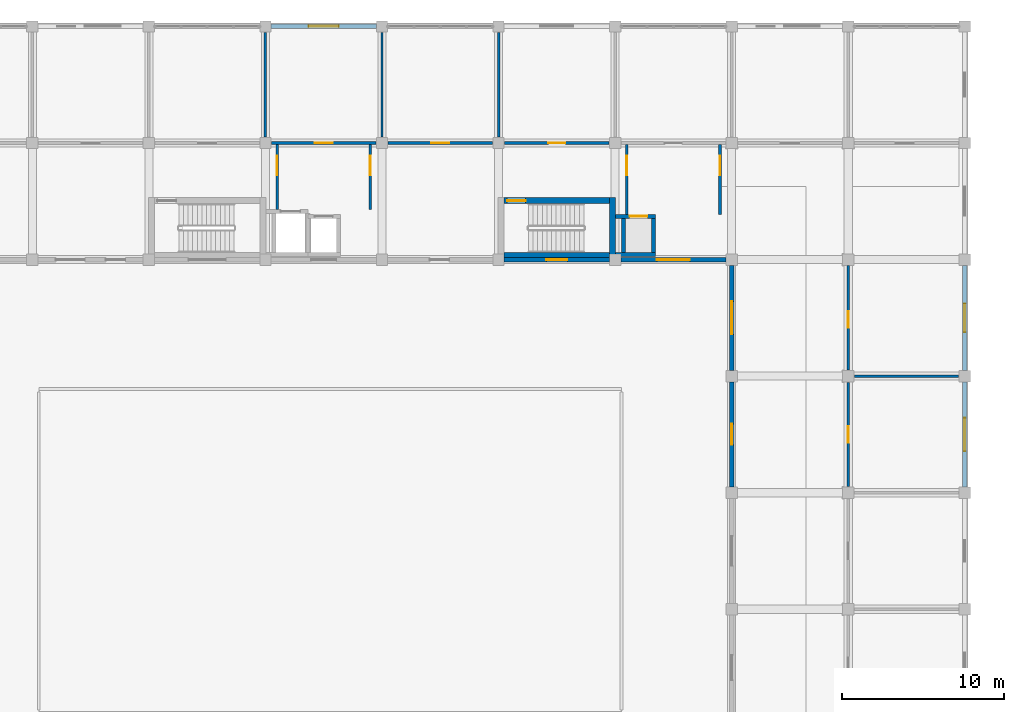
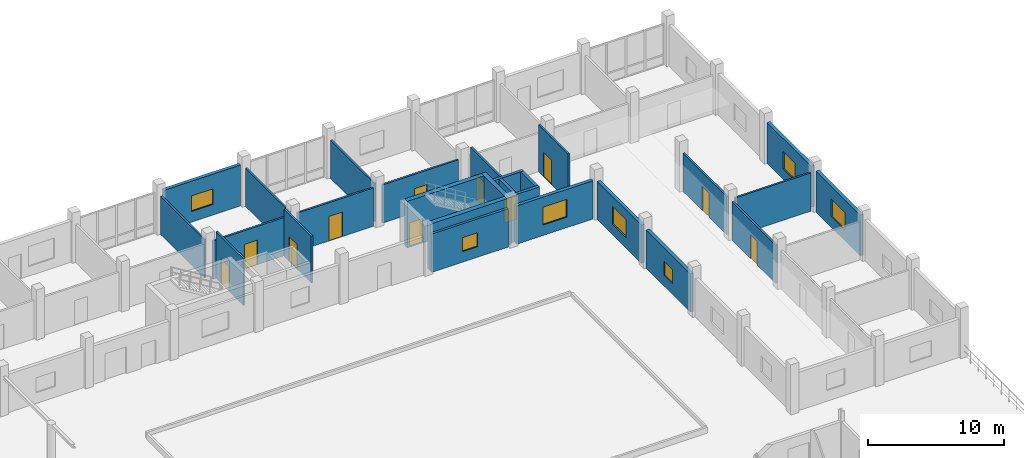
# One storey, part 125 of 139: 27 walls, 11 doors, 7 windows, 18 openings.
"""IFC4 building model written with IfcOpenShell, lengths in metres."""

from ifc_helpers import new_model, si_unit, direction, frame, frame_2d, origin, place, context, subcontext, project, spatial, rectangle, extrude, material, layer, layer_set, type_object, element, fill, save


model = new_model("IFC4")

# Units and contexts
model_context = context("Model", 3, precision=1e-05, world=origin(), true_north=direction((0.0, 1.0)))
body_context = subcontext(model_context, "Body", "Model", "MODEL_VIEW")
ifc_project = project(units=[si_unit("LENGTHUNIT", "METRE"), si_unit("AREAUNIT", "SQUARE_METRE"), si_unit("VOLUMEUNIT", "CUBIC_METRE"), si_unit("PLANEANGLEUNIT", "RADIAN"), si_unit("MASSUNIT", "GRAM", prefix="KILO")], contexts=[model_context])

# Site, building, storey
site_placement = place(None, origin())
site = spatial("IfcSite", under=ifc_project, at=site_placement, CompositionType="ELEMENT")
building_placement = place(site_placement, origin())
building = spatial("IfcBuilding", under=site, at=building_placement, Name="Suanplinth Sawtooth Commons", CompositionType="ELEMENT")
storey_placement = place(building_placement, origin())
storey = spatial("IfcBuildingStorey", under=building, at=storey_placement, Name="L00", CompositionType="ELEMENT", Elevation=0.0)

# Wall
ifc_material_1 = material(Name="Concrete C40/50", Category="concrete")
ifc_layer_1 = layer(ifc_material_1, 0.3798828125, Name="Lower high-rise RC core shear wall 380mm")
ifc_layer_set_1 = layer_set([ifc_layer_1], Name="Concrete C40/50")
wall_type_1 = type_object("IfcWallType", Name="W-CR01", PredefinedType="SHEAR", material=ifc_layer_set_1)
wall_1_placement = place(storey_placement, frame((158.75, 108.260009765625, 0.0), z_axis=(0.0, 0.0, 1.0), x_axis=(1.0, 0.0, 0.0)))
element("IfcWall", 1, at=wall_1_placement, inside=storey, type_object=wall_type_1, Name="W-L00-C-B2-STS", PredefinedType="SHEAR", context=body_context, shape_type="SweptSolid", body=[
    extrude(rectangle(XDim=6.5, YDim=0.3798828125, at=frame_2d((3.25, 0.0))), origin(), (0.0, 0.0, 1.0), 4.199951171875),
])

# Wall, opening, door
wall_2_placement = place(storey_placement, frame((158.75, 111.639892578125, 0.0), z_axis=(0.0, 0.0, 1.0), x_axis=(1.0, 0.0, 0.0)))
wall_2 = element("IfcWall", 2, at=wall_2_placement, inside=storey, type_object=wall_type_1, Name="W-L00-C-B2-STN", PredefinedType="SHEAR", context=body_context, shape_type="SweptSolid", body=[
    extrude(rectangle(XDim=6.5, YDim=0.3798828125, at=frame_2d((3.25, 0.0))), origin(), (0.0, 0.0, 1.0), 4.199951171875),
])
opening_1_placement = place(wall_2_placement, frame((0.179931640625, 0.0, 0.0)))
opening_1 = element("IfcOpeningElement", 3, at=opening_1_placement, cuts=wall_2, Name="Opening FD0224", PredefinedType="OPENING", context=body_context, shape_type="SweptSolid", body=[
    extrude(rectangle(XDim=1.14990234375, YDim=2.199951171875, at=frame_2d((0.574951171875, 1.10009765625))), frame((0.0, 0.204833984375, 0.0), z_axis=(0.0, -1.0, 0.0), x_axis=(1.0, 0.0, 0.0)), (0.0, 0.0, 1.0), 0.40966796875),
])
ifc_material_2 = material(Name="Teak hardwood fire-rated door assembly", Category="wood")
door_type_1 = type_object("IfcDoorType", Name="FD-01", OperationType="NOTDEFINED", PredefinedType="DOOR", material=ifc_material_2)
door_1_placement = place(opening_1_placement, origin())
door_1 = element("IfcDoor", 4, at=door_1_placement, inside=storey, type_object=door_type_1, Name="Exit Stair Fire Door FD0224", OperationType="SINGLE_SWING_RIGHT", OverallHeight=2.199951171875, OverallWidth=1.14990234375, PredefinedType="DOOR", context=body_context, shape_type="SweptSolid", body=[
    extrude(rectangle(XDim=1.14990234375, YDim=2.199951171875, at=frame_2d((0.574951171875, 1.10009765625))), frame((0.0, 0.02490234375, 0.0), z_axis=(0.0, -1.0, 0.0), x_axis=(1.0, 0.0, 0.0)), (0.0, 0.0, 1.0), 0.050048828125),
])
fill(opening_1, door_1)

# Wall
wall_3_placement = place(storey_placement, frame((165.43994140625, 108.070068359375, 0.0), z_axis=(0.0, 0.0, 1.0), x_axis=(0.0, 1.0, 0.0)))
element("IfcWall", 5, at=wall_3_placement, inside=storey, type_object=wall_type_1, Name="W-L00-C-B2-STE", PredefinedType="SHEAR", context=body_context, shape_type="SweptSolid", body=[
    extrude(rectangle(XDim=3.760009765625, YDim=0.3798828125, at=frame_2d((1.8798828125, 0.0))), origin(), (0.0, 0.0, 1.0), 4.199951171875),
])

# Wall, opening, window
ifc_material_3 = material(Name="Precast concrete C40/50", Category="concrete")
ifc_layer_2 = layer(ifc_material_3, 0.280029296875, Name="Insulated precast architectural facade wall 280mm")
ifc_layer_set_2 = layer_set([ifc_layer_2], Name="Precast concrete C40/50")
wall_type_2 = type_object("IfcWallType", Name="W-EX01", PredefinedType="ELEMENTEDWALL", material=ifc_layer_set_2)
wall_4_placement = place(storey_placement, frame((144.35009765625, 122.39990234375, 0.0), z_axis=(0.0, 0.0, 1.0), x_axis=(1.0, 0.0, 0.0)))
wall_4 = element("IfcWall", 6, at=wall_4_placement, inside=storey, type_object=wall_type_2, Name="Facade Wall W-L00-B-N-20-16", PredefinedType="ELEMENTEDWALL", context=body_context, shape_type="SweptSolid", body=[
    extrude(rectangle(XDim=6.5, YDim=0.280029296875, at=frame_2d((3.25, 0.0))), origin(), (0.0, 0.0, 1.0), 3.6650390625),
])
opening_2_placement = place(wall_4_placement, frame((2.324951171875, 0.0, 0.949951171875)))
opening_2 = element("IfcOpeningElement", 7, at=opening_2_placement, cuts=wall_4, Name="Opening W0105", PredefinedType="OPENING", context=body_context, shape_type="SweptSolid", body=[
    extrude(rectangle(XDim=1.85009765625, YDim=1.39990234375, at=frame_2d((0.925048828125, 0.699951171875))), frame((0.0, 0.15478515625, 0.0), z_axis=(0.0, -1.0, 0.0), x_axis=(1.0, 0.0, 0.0)), (0.0, 0.0, 1.0), 0.309814453125),
])
ifc_material_4 = material(Name="Thermally broken aluminium and low-E double glazing", Category="aluminium")
window_type_1 = type_object("IfcWindowType", Name="WN-23", PartitioningType="DOUBLE_PANEL_VERTICAL", PredefinedType="WINDOW", material=ifc_material_4)
window_1_placement = place(opening_2_placement, origin())
window_1 = element("IfcWindow", 8, at=window_1_placement, inside=storey, type_object=window_type_1, Name="Window L00-B-N-20-16", OverallHeight=1.39990234375, OverallWidth=1.85009765625, PartitioningType="DOUBLE_PANEL_VERTICAL", PredefinedType="WINDOW", context=body_context, shape_type="SweptSolid", body=[
    extrude(rectangle(XDim=1.85009765625, YDim=1.39990234375, at=frame_2d((0.925048828125, 0.699951171875))), frame((0.0, 0.030029296875, 0.0), z_axis=(0.0, -1.0, 0.0), x_axis=(1.0, 0.0, 0.0)), (0.0, 0.0, 1.0), 0.06005859375),
])
fill(opening_2, window_1)

wall_5_placement = place(storey_placement, frame((158.75, 108.0, 0.0), z_axis=(0.0, 0.0, 1.0), x_axis=(1.0, 0.0, 0.0)))
wall_5 = element("IfcWall", 9, at=wall_5_placement, inside=storey, type_object=wall_type_2, Name="Facade Wall W-L00-B-S-22-15", PredefinedType="ELEMENTEDWALL", context=body_context, shape_type="SweptSolid", body=[
    extrude(rectangle(XDim=6.5, YDim=0.280029296875, at=frame_2d((3.25, 0.0))), origin(), (0.0, 0.0, 1.0), 3.43505859375),
])
opening_3_placement = place(wall_5_placement, frame((2.60009765625, 0.0, 0.949951171875)))
opening_3 = element("IfcOpeningElement", 10, at=opening_3_placement, cuts=wall_5, Name="Opening W0106", PredefinedType="OPENING", context=body_context, shape_type="SweptSolid", body=[
    extrude(rectangle(XDim=1.300048828125, YDim=1.25, at=frame_2d((0.64990234375, 0.625))), frame((0.0, 0.15478515625, 0.0), z_axis=(0.0, -1.0, 0.0), x_axis=(1.0, 0.0, 0.0)), (0.0, 0.0, 1.0), 0.309814453125),
])
window_type_2 = type_object("IfcWindowType", Name="WN-24", PartitioningType="SINGLE_PANEL", PredefinedType="WINDOW", material=ifc_material_4)
window_2_placement = place(opening_3_placement, origin())
window_2 = element("IfcWindow", 11, at=window_2_placement, inside=storey, type_object=window_type_2, Name="Window L00-B-S-22-15", OverallHeight=1.25, OverallWidth=1.300048828125, PartitioningType="SINGLE_PANEL", PredefinedType="WINDOW", context=body_context, shape_type="SweptSolid", body=[
    extrude(rectangle(XDim=1.300048828125, YDim=1.25, at=frame_2d((0.64990234375, 0.625))), frame((0.0, 0.030029296875, 0.0), z_axis=(0.0, -1.0, 0.0), x_axis=(1.0, 0.0, 0.0)), (0.0, 0.0, 1.0), 0.06005859375),
])
fill(opening_3, window_2)

wall_6_placement = place(storey_placement, frame((165.949951171875, 108.0, 0.0), z_axis=(0.0, 0.0, 1.0), x_axis=(1.0, 0.0, 0.0)))
wall_6 = element("IfcWall", 12, at=wall_6_placement, inside=storey, type_object=wall_type_2, Name="Facade Wall W-L00-B-S-23-15", PredefinedType="ELEMENTEDWALL", context=body_context, shape_type="SweptSolid", body=[
    extrude(rectangle(XDim=6.5, YDim=0.280029296875, at=frame_2d((3.25, 0.0))), origin(), (0.0, 0.0, 1.0), 3.43505859375),
])
opening_4_placement = place(wall_6_placement, frame((2.22509765625, 0.0, 0.949951171875)))
opening_4 = element("IfcOpeningElement", 13, at=opening_4_placement, cuts=wall_6, Name="Opening W0108", PredefinedType="OPENING", context=body_context, shape_type="SweptSolid", body=[
    extrude(rectangle(XDim=2.050048828125, YDim=1.60009765625, at=frame_2d((1.02490234375, 0.800048828125))), frame((0.0, 0.15478515625, 0.0), z_axis=(0.0, -1.0, 0.0), x_axis=(1.0, 0.0, 0.0)), (0.0, 0.0, 1.0), 0.309814453125),
])
window_type_3 = type_object("IfcWindowType", Name="WN-25", PartitioningType="DOUBLE_PANEL_VERTICAL", PredefinedType="WINDOW", material=ifc_material_4)
window_3_placement = place(opening_4_placement, origin())
window_3 = element("IfcWindow", 14, at=window_3_placement, inside=storey, type_object=window_type_3, Name="Window L00-B-S-23-15", OverallHeight=1.60009765625, OverallWidth=2.050048828125, PartitioningType="DOUBLE_PANEL_VERTICAL", PredefinedType="WINDOW", context=body_context, shape_type="SweptSolid", body=[
    extrude(rectangle(XDim=2.050048828125, YDim=1.60009765625, at=frame_2d((1.02490234375, 0.800048828125))), frame((0.0, 0.030029296875, 0.0), z_axis=(0.0, -1.0, 0.0), x_axis=(1.0, 0.0, 0.0)), (0.0, 0.0, 1.0), 0.06005859375),
])
fill(opening_4, window_3)

wall_7_placement = place(storey_placement, frame((172.800048828125, 93.949951171875, 0.0), z_axis=(0.0, 0.0, 1.0), x_axis=(0.0, 1.0, 0.0)))
wall_7 = element("IfcWall", 15, at=wall_7_placement, inside=storey, type_object=wall_type_2, Name="Facade Wall W-L00-B-W-24-13", PredefinedType="ELEMENTEDWALL", context=body_context, shape_type="SweptSolid", body=[
    extrude(rectangle(XDim=6.5, YDim=0.280029296875, at=frame_2d((3.25, 0.0))), origin(), (0.0, 0.0, 1.0), 3.43505859375),
])
opening_5_placement = place(wall_7_placement, frame((2.60009765625, 0.0, 0.949951171875)))
opening_5 = element("IfcOpeningElement", 16, at=opening_5_placement, cuts=wall_7, Name="Opening W0112", PredefinedType="OPENING", context=body_context, shape_type="SweptSolid", body=[
    extrude(rectangle(XDim=1.300048828125, YDim=1.25, at=frame_2d((0.64990234375, 0.625))), frame((0.0, 0.15478515625, 0.0), z_axis=(0.0, -1.0, 0.0), x_axis=(1.0, 0.0, 0.0)), (0.0, 0.0, 1.0), 0.309814453125),
])
window_4_placement = place(opening_5_placement, origin())
window_4 = element("IfcWindow", 17, at=window_4_placement, inside=storey, type_object=window_type_2, Name="Window L00-B-W-24-13", OverallHeight=1.25, OverallWidth=1.300048828125, PartitioningType="SINGLE_PANEL", PredefinedType="WINDOW", context=body_context, shape_type="SweptSolid", body=[
    extrude(rectangle(XDim=1.300048828125, YDim=1.25, at=frame_2d((0.64990234375, 0.625))), frame((0.0, 0.030029296875, 0.0), z_axis=(0.0, -1.0, 0.0), x_axis=(1.0, 0.0, 0.0)), (0.0, 0.0, 1.0), 0.06005859375),
])
fill(opening_5, window_4)

wall_8_placement = place(storey_placement, frame((172.800048828125, 101.14990234375, 0.0), z_axis=(0.0, 0.0, 1.0), x_axis=(0.0, 1.0, 0.0)))
wall_8 = element("IfcWall", 18, at=wall_8_placement, inside=storey, type_object=wall_type_2, Name="Facade Wall W-L00-B-W-24-14", PredefinedType="ELEMENTEDWALL", context=body_context, shape_type="SweptSolid", body=[
    extrude(rectangle(XDim=6.5, YDim=0.280029296875, at=frame_2d((3.25, 0.0))), origin(), (0.0, 0.0, 1.0), 3.43505859375),
])
opening_6_placement = place(wall_8_placement, frame((2.22509765625, 0.0, 0.949951171875)))
opening_6 = element("IfcOpeningElement", 19, at=opening_6_placement, cuts=wall_8, Name="Opening W0113", PredefinedType="OPENING", context=body_context, shape_type="SweptSolid", body=[
    extrude(rectangle(XDim=2.050048828125, YDim=1.60009765625, at=frame_2d((1.02490234375, 0.800048828125))), frame((0.0, 0.15478515625, 0.0), z_axis=(0.0, -1.0, 0.0), x_axis=(1.0, 0.0, 0.0)), (0.0, 0.0, 1.0), 0.309814453125),
])
window_5_placement = place(opening_6_placement, origin())
window_5 = element("IfcWindow", 20, at=window_5_placement, inside=storey, type_object=window_type_3, Name="Window L00-B-W-24-14", OverallHeight=1.60009765625, OverallWidth=2.050048828125, PartitioningType="DOUBLE_PANEL_VERTICAL", PredefinedType="WINDOW", context=body_context, shape_type="SweptSolid", body=[
    extrude(rectangle(XDim=2.050048828125, YDim=1.60009765625, at=frame_2d((1.02490234375, 0.800048828125))), frame((0.0, 0.030029296875, 0.0), z_axis=(0.0, -1.0, 0.0), x_axis=(1.0, 0.0, 0.0)), (0.0, 0.0, 1.0), 0.06005859375),
])
fill(opening_6, window_5)

wall_9_placement = place(storey_placement, frame((187.199951171875, 93.949951171875, 0.0), z_axis=(0.0, 0.0, 1.0), x_axis=(0.0, 1.0, 0.0)))
wall_9 = element("IfcWall", 21, at=wall_9_placement, inside=storey, type_object=wall_type_2, Name="Facade Wall W-L00-B-E-25-13", PredefinedType="ELEMENTEDWALL", context=body_context, shape_type="SweptSolid", body=[
    extrude(rectangle(XDim=6.5, YDim=0.280029296875, at=frame_2d((3.25, 0.0))), origin(), (0.0, 0.0, 1.0), 3.6650390625),
])
opening_7_placement = place(wall_9_placement, frame((2.22509765625, 0.0, 0.949951171875)))
opening_7 = element("IfcOpeningElement", 22, at=opening_7_placement, cuts=wall_9, Name="Opening W0118", PredefinedType="OPENING", context=body_context, shape_type="SweptSolid", body=[
    extrude(rectangle(XDim=2.050048828125, YDim=1.60009765625, at=frame_2d((1.02490234375, 0.800048828125))), frame((0.0, 0.15478515625, 0.0), z_axis=(0.0, -1.0, 0.0), x_axis=(1.0, 0.0, 0.0)), (0.0, 0.0, 1.0), 0.309814453125),
])
window_6_placement = place(opening_7_placement, origin())
window_6 = element("IfcWindow", 23, at=window_6_placement, inside=storey, type_object=window_type_3, Name="Window L00-B-E-25-13", OverallHeight=1.60009765625, OverallWidth=2.050048828125, PartitioningType="DOUBLE_PANEL_VERTICAL", PredefinedType="WINDOW", context=body_context, shape_type="SweptSolid", body=[
    extrude(rectangle(XDim=2.050048828125, YDim=1.60009765625, at=frame_2d((1.02490234375, 0.800048828125))), frame((0.0, 0.030029296875, 0.0), z_axis=(0.0, -1.0, 0.0), x_axis=(1.0, 0.0, 0.0)), (0.0, 0.0, 1.0), 0.06005859375),
])
fill(opening_7, window_6)

wall_10_placement = place(storey_placement, frame((187.199951171875, 101.14990234375, 0.0), z_axis=(0.0, 0.0, 1.0), x_axis=(0.0, 1.0, 0.0)))
wall_10 = element("IfcWall", 24, at=wall_10_placement, inside=storey, type_object=wall_type_2, Name="Facade Wall W-L00-B-E-25-14", PredefinedType="ELEMENTEDWALL", context=body_context, shape_type="SweptSolid", body=[
    extrude(rectangle(XDim=6.5, YDim=0.280029296875, at=frame_2d((3.25, 0.0))), origin(), (0.0, 0.0, 1.0), 3.6650390625),
])
opening_8_placement = place(wall_10_placement, frame((2.375, 0.0, 0.949951171875)))
opening_8 = element("IfcOpeningElement", 25, at=opening_8_placement, cuts=wall_10, Name="Opening W0119", PredefinedType="OPENING", context=body_context, shape_type="SweptSolid", body=[
    extrude(rectangle(XDim=1.75, YDim=1.550048828125, at=frame_2d((0.875, 0.77490234375))), frame((0.0, 0.15478515625, 0.0), z_axis=(0.0, -1.0, 0.0), x_axis=(1.0, 0.0, 0.0)), (0.0, 0.0, 1.0), 0.309814453125),
])
window_type_4 = type_object("IfcWindowType", Name="WN-26", PartitioningType="DOUBLE_PANEL_VERTICAL", PredefinedType="WINDOW", material=ifc_material_4)
window_7_placement = place(opening_8_placement, origin())
window_7 = element("IfcWindow", 26, at=window_7_placement, inside=storey, type_object=window_type_4, Name="Window L00-B-E-25-14", OverallHeight=1.550048828125, OverallWidth=1.75, PartitioningType="DOUBLE_PANEL_VERTICAL", PredefinedType="WINDOW", context=body_context, shape_type="SweptSolid", body=[
    extrude(rectangle(XDim=1.75, YDim=1.550048828125, at=frame_2d((0.875, 0.77490234375))), frame((0.0, 0.030029296875, 0.0), z_axis=(0.0, -1.0, 0.0), x_axis=(1.0, 0.0, 0.0)), (0.0, 0.0, 1.0), 0.06005859375),
])
fill(opening_8, window_7)

# Wall, opening, door
ifc_layer_3 = layer(ifc_material_3, 0.159912109375, Name="Fire-rated corridor and lobby wall 160mm")
ifc_layer_set_3 = layer_set([ifc_layer_3], Name="Precast concrete C40/50")
wall_type_3 = type_object("IfcWallType", Name="W-FW01", PredefinedType="PARTITIONING", material=ifc_layer_set_3)
wall_11_placement = place(storey_placement, frame((144.719970703125, 111.10009765625, 0.0), z_axis=(0.0, 0.0, 1.0), x_axis=(0.0, 1.0, 0.0)))
wall_11 = element("IfcWall", 27, at=wall_11_placement, inside=storey, type_object=wall_type_3, Name="W-L00-C-B1-LOB-W", PredefinedType="PARTITIONING", context=body_context, shape_type="SweptSolid", body=[
    extrude(rectangle(XDim=4.02001953125, YDim=0.159912109375, at=frame_2d((2.010009765625, 0.0))), origin(), (0.0, 0.0, 1.0), 4.199951171875),
])
opening_9_placement = place(wall_11_placement, frame((2.10009765625, 0.0, 0.0)))
opening_9 = element("IfcOpeningElement", 28, at=opening_9_placement, cuts=wall_11, Name="Opening FD0160", PredefinedType="OPENING", context=body_context, shape_type="SweptSolid", body=[
    extrude(rectangle(XDim=1.199951171875, YDim=2.199951171875, at=frame_2d((0.60009765625, 1.10009765625))), frame((0.0, 0.0947265625, 0.0), z_axis=(0.0, -1.0, 0.0), x_axis=(1.0, 0.0, 0.0)), (0.0, 0.0, 1.0), 0.189697265625),
])
door_type_2 = type_object("IfcDoorType", Name="FD-02", OperationType="NOTDEFINED", PredefinedType="DOOR", material=ifc_material_2)
door_2_placement = place(opening_9_placement, origin())
door_2 = element("IfcDoor", 29, at=door_2_placement, inside=storey, type_object=door_type_2, Name="Lobby Fire Door FD0160", OperationType="SINGLE_SWING_RIGHT", OverallHeight=2.199951171875, OverallWidth=1.199951171875, PredefinedType="DOOR", context=body_context, shape_type="SweptSolid", body=[
    extrude(rectangle(XDim=1.199951171875, YDim=2.199951171875, at=frame_2d((0.60009765625, 1.10009765625))), frame((0.0, 0.02490234375, 0.0), z_axis=(0.0, -1.0, 0.0), x_axis=(1.0, 0.0, 0.0)), (0.0, 0.0, 1.0), 0.050048828125),
])
fill(opening_9, door_2)

wall_12_placement = place(storey_placement, frame((150.47998046875, 111.10009765625, 0.0), z_axis=(0.0, 0.0, 1.0), x_axis=(0.0, 1.0, 0.0)))
wall_12 = element("IfcWall", 30, at=wall_12_placement, inside=storey, type_object=wall_type_3, Name="W-L00-C-B1-LOB-E", PredefinedType="PARTITIONING", context=body_context, shape_type="SweptSolid", body=[
    extrude(rectangle(XDim=4.02001953125, YDim=0.159912109375, at=frame_2d((2.010009765625, 0.0))), origin(), (0.0, 0.0, 1.0), 4.199951171875),
])
opening_10_placement = place(wall_12_placement, frame((2.10009765625, 0.0, 0.0)))
opening_10 = element("IfcOpeningElement", 31, at=opening_10_placement, cuts=wall_12, Name="Opening FD0161", PredefinedType="OPENING", context=body_context, shape_type="SweptSolid", body=[
    extrude(rectangle(XDim=1.199951171875, YDim=2.199951171875, at=frame_2d((0.60009765625, 1.10009765625))), frame((0.0, 0.0947265625, 0.0), z_axis=(0.0, -1.0, 0.0), x_axis=(1.0, 0.0, 0.0)), (0.0, 0.0, 1.0), 0.189697265625),
])
door_3_placement = place(opening_10_placement, frame((1.199951171875, 0.0, 0.0), z_axis=(0.0, 0.0, 1.0), x_axis=(-1.0, 0.0, 0.0)))
door_3 = element("IfcDoor", 32, at=door_3_placement, inside=storey, type_object=door_type_2, Name="Lobby Fire Door FD0161", OperationType="SINGLE_SWING_LEFT", OverallHeight=2.199951171875, OverallWidth=1.199951171875, PredefinedType="DOOR", context=body_context, shape_type="SweptSolid", body=[
    extrude(rectangle(XDim=1.199951171875, YDim=2.199951171875, at=frame_2d((0.60009765625, 1.10009765625))), frame((0.0, 0.02490234375, 0.0), z_axis=(0.0, -1.0, 0.0), x_axis=(1.0, 0.0, 0.0)), (0.0, 0.0, 1.0), 0.050048828125),
])
fill(opening_10, door_3)

wall_13_placement = place(storey_placement, frame((166.320068359375, 110.800048828125, 0.0), z_axis=(0.0, 0.0, 1.0), x_axis=(0.0, 1.0, 0.0)))
wall_13 = element("IfcWall", 33, at=wall_13_placement, inside=storey, type_object=wall_type_3, Name="W-L00-C-B2-LOB-W", PredefinedType="PARTITIONING", context=body_context, shape_type="SweptSolid", body=[
    extrude(rectangle(XDim=4.320068359375, YDim=0.159912109375, at=frame_2d((2.16015625, 0.0))), origin(), (0.0, 0.0, 1.0), 4.199951171875),
])
opening_11_placement = place(wall_13_placement, frame((2.39990234375, 0.0, 0.0)))
opening_11 = element("IfcOpeningElement", 34, at=opening_11_placement, cuts=wall_13, Name="Opening FD0225", PredefinedType="OPENING", context=body_context, shape_type="SweptSolid", body=[
    extrude(rectangle(XDim=1.199951171875, YDim=2.199951171875, at=frame_2d((0.60009765625, 1.10009765625))), frame((0.0, 0.0947265625, 0.0), z_axis=(0.0, -1.0, 0.0), x_axis=(1.0, 0.0, 0.0)), (0.0, 0.0, 1.0), 0.189697265625),
])
door_4_placement = place(opening_11_placement, origin())
door_4 = element("IfcDoor", 35, at=door_4_placement, inside=storey, type_object=door_type_2, Name="Lobby Fire Door FD0225", OperationType="SINGLE_SWING_LEFT", OverallHeight=2.199951171875, OverallWidth=1.199951171875, PredefinedType="DOOR", context=body_context, shape_type="SweptSolid", body=[
    extrude(rectangle(XDim=1.199951171875, YDim=2.199951171875, at=frame_2d((0.60009765625, 1.10009765625))), frame((0.0, 0.02490234375, 0.0), z_axis=(0.0, -1.0, 0.0), x_axis=(1.0, 0.0, 0.0)), (0.0, 0.0, 1.0), 0.050048828125),
])
fill(opening_11, door_4)

wall_14_placement = place(storey_placement, frame((172.080078125, 110.800048828125, 0.0), z_axis=(0.0, 0.0, 1.0), x_axis=(0.0, 1.0, 0.0)))
wall_14 = element("IfcWall", 36, at=wall_14_placement, inside=storey, type_object=wall_type_3, Name="W-L00-C-B2-LOB-E", PredefinedType="PARTITIONING", context=body_context, shape_type="SweptSolid", body=[
    extrude(rectangle(XDim=4.320068359375, YDim=0.159912109375, at=frame_2d((2.16015625, 0.0))), origin(), (0.0, 0.0, 1.0), 4.199951171875),
])
opening_12_placement = place(wall_14_placement, frame((2.39990234375, 0.0, 0.0)))
opening_12 = element("IfcOpeningElement", 37, at=opening_12_placement, cuts=wall_14, Name="Opening FD0226", PredefinedType="OPENING", context=body_context, shape_type="SweptSolid", body=[
    extrude(rectangle(XDim=1.199951171875, YDim=2.199951171875, at=frame_2d((0.60009765625, 1.10009765625))), frame((0.0, 0.0947265625, 0.0), z_axis=(0.0, -1.0, 0.0), x_axis=(1.0, 0.0, 0.0)), (0.0, 0.0, 1.0), 0.189697265625),
])
door_5_placement = place(opening_12_placement, frame((1.199951171875, 0.0, 0.0), z_axis=(0.0, 0.0, 1.0), x_axis=(-1.0, 0.0, 0.0)))
door_5 = element("IfcDoor", 38, at=door_5_placement, inside=storey, type_object=door_type_2, Name="Lobby Fire Door FD0226", OperationType="SINGLE_SWING_RIGHT", OverallHeight=2.199951171875, OverallWidth=1.199951171875, PredefinedType="DOOR", context=body_context, shape_type="SweptSolid", body=[
    extrude(rectangle(XDim=1.199951171875, YDim=2.199951171875, at=frame_2d((0.60009765625, 1.10009765625))), frame((0.0, 0.02490234375, 0.0), z_axis=(0.0, -1.0, 0.0), x_axis=(1.0, 0.0, 0.0)), (0.0, 0.0, 1.0), 0.050048828125),
])
fill(opening_12, door_5)

wall_15_placement = place(storey_placement, frame((144.3798828125, 115.199951171875, 0.0), z_axis=(0.0, 0.0, 1.0), x_axis=(1.0, 0.0, 0.0)))
wall_15 = element("IfcWall", 39, at=wall_15_placement, inside=storey, type_object=wall_type_3, Name="W-B-L00-GROUNDROOM-19-COR", PredefinedType="PARTITIONING", context=body_context, shape_type="SweptSolid", body=[
    extrude(rectangle(XDim=6.440185546875, YDim=0.159912109375, at=frame_2d((3.22021484375, 0.0))), origin(), (0.0, 0.0, 1.0), 3.43505859375),
])
opening_13_placement = place(wall_15_placement, frame((2.659912109375, 0.0, 0.0)))
opening_13 = element("IfcOpeningElement", 40, at=opening_13_placement, cuts=wall_15, Name="Opening D0489", PredefinedType="OPENING", context=body_context, shape_type="SweptSolid", body=[
    extrude(rectangle(XDim=1.1201171875, YDim=2.199951171875, at=frame_2d((0.56005859375, 1.10009765625))), frame((0.0, 0.0947265625, 0.0), z_axis=(0.0, -1.0, 0.0), x_axis=(1.0, 0.0, 0.0)), (0.0, 0.0, 1.0), 0.189697265625),
])
ifc_material_5 = material(Name="Teak hardwood", Category="wood")
door_type_3 = type_object("IfcDoorType", Name="D-18", OperationType="NOTDEFINED", PredefinedType="DOOR", material=ifc_material_5)
door_6_placement = place(opening_13_placement, origin())
door_6 = element("IfcDoor", 41, at=door_6_placement, inside=storey, type_object=door_type_3, Name="Unit Entrance Door D0489", OperationType="SINGLE_SWING_LEFT", OverallHeight=2.199951171875, OverallWidth=1.1201171875, PredefinedType="DOOR", context=body_context, shape_type="SweptSolid", body=[
    extrude(rectangle(XDim=1.1201171875, YDim=2.199951171875, at=frame_2d((0.56005859375, 1.10009765625))), frame((0.0, 0.02490234375, 0.0), z_axis=(0.0, -1.0, 0.0), x_axis=(1.0, 0.0, 0.0)), (0.0, 0.0, 1.0), 0.050048828125),
])
fill(opening_13, door_6)

wall_16_placement = place(storey_placement, frame((151.580078125, 115.199951171875, 0.0), z_axis=(0.0, 0.0, 1.0), x_axis=(1.0, 0.0, 0.0)))
wall_16 = element("IfcWall", 42, at=wall_16_placement, inside=storey, type_object=wall_type_3, Name="W-B-L00-GROUNDROOM-20-COR", PredefinedType="PARTITIONING", context=body_context, shape_type="SweptSolid", body=[
    extrude(rectangle(XDim=6.43994140625, YDim=0.159912109375, at=frame_2d((3.219970703125, 0.0))), origin(), (0.0, 0.0, 1.0), 3.43505859375),
])
opening_14_placement = place(wall_16_placement, frame((2.659912109375, 0.0, 0.0)))
opening_14 = element("IfcOpeningElement", 43, at=opening_14_placement, cuts=wall_16, Name="Opening D0490", PredefinedType="OPENING", context=body_context, shape_type="SweptSolid", body=[
    extrude(rectangle(XDim=1.1201171875, YDim=2.199951171875, at=frame_2d((0.56005859375, 1.10009765625))), frame((0.0, 0.0947265625, 0.0), z_axis=(0.0, -1.0, 0.0), x_axis=(1.0, 0.0, 0.0)), (0.0, 0.0, 1.0), 0.189697265625),
])
door_7_placement = place(opening_14_placement, origin())
door_7 = element("IfcDoor", 44, at=door_7_placement, inside=storey, type_object=door_type_3, Name="Unit Entrance Door D0490", OperationType="SINGLE_SWING_RIGHT", OverallHeight=2.199951171875, OverallWidth=1.1201171875, PredefinedType="DOOR", context=body_context, shape_type="SweptSolid", body=[
    extrude(rectangle(XDim=1.1201171875, YDim=2.199951171875, at=frame_2d((0.56005859375, 1.10009765625))), frame((0.0, 0.02490234375, 0.0), z_axis=(0.0, -1.0, 0.0), x_axis=(1.0, 0.0, 0.0)), (0.0, 0.0, 1.0), 0.050048828125),
])
fill(opening_14, door_7)

wall_17_placement = place(storey_placement, frame((158.780029296875, 115.199951171875, 0.0), z_axis=(0.0, 0.0, 1.0), x_axis=(1.0, 0.0, 0.0)))
wall_17 = element("IfcWall", 45, at=wall_17_placement, inside=storey, type_object=wall_type_3, Name="W-B-L00-GROUNDROOM-21-COR", PredefinedType="PARTITIONING", context=body_context, shape_type="SweptSolid", body=[
    extrude(rectangle(XDim=6.43994140625, YDim=0.159912109375, at=frame_2d((3.219970703125, 0.0))), origin(), (0.0, 0.0, 1.0), 3.43505859375),
])
opening_15_placement = place(wall_17_placement, frame((2.695068359375, 0.0, 0.0)))
opening_15 = element("IfcOpeningElement", 46, at=opening_15_placement, cuts=wall_17, Name="Opening FD0491", PredefinedType="OPENING", context=body_context, shape_type="SweptSolid", body=[
    extrude(rectangle(XDim=1.050048828125, YDim=2.14990234375, at=frame_2d((0.52490234375, 1.074951171875))), frame((0.0, 0.0947265625, 0.0), z_axis=(0.0, -1.0, 0.0), x_axis=(1.0, 0.0, 0.0)), (0.0, 0.0, 1.0), 0.189697265625),
])
door_type_4 = type_object("IfcDoorType", Name="FD-04", OperationType="NOTDEFINED", PredefinedType="DOOR", material=ifc_material_2)
door_8_placement = place(opening_15_placement, origin())
door_8 = element("IfcDoor", 47, at=door_8_placement, inside=storey, type_object=door_type_4, Name="Unit Entrance Door FD0491", OperationType="SINGLE_SWING_LEFT", OverallHeight=2.14990234375, OverallWidth=1.050048828125, PredefinedType="DOOR", context=body_context, shape_type="SweptSolid", body=[
    extrude(rectangle(XDim=1.050048828125, YDim=2.14990234375, at=frame_2d((0.52490234375, 1.074951171875))), frame((0.0, 0.02490234375, 0.0), z_axis=(0.0, -1.0, 0.0), x_axis=(1.0, 0.0, 0.0)), (0.0, 0.0, 1.0), 0.050048828125),
])
fill(opening_15, door_8)

wall_18_placement = place(storey_placement, frame((180.0, 93.97998046875, 0.0), z_axis=(0.0, 0.0, 1.0), x_axis=(0.0, 1.0, 0.0)))
wall_18 = element("IfcWall", 48, at=wall_18_placement, inside=storey, type_object=wall_type_3, Name="W-B-L00-GROUNDROOM-27-COR", PredefinedType="PARTITIONING", context=body_context, shape_type="SweptSolid", body=[
    extrude(rectangle(XDim=6.43994140625, YDim=0.159912109375, at=frame_2d((3.219970703125, 0.0))), origin(), (0.0, 0.0, 1.0), 3.43505859375),
])
opening_16_placement = place(wall_18_placement, frame((2.719970703125, 0.0, 0.0)))
opening_16 = element("IfcOpeningElement", 49, at=opening_16_placement, cuts=wall_18, Name="Opening FD0497", PredefinedType="OPENING", context=body_context, shape_type="SweptSolid", body=[
    extrude(rectangle(XDim=1.0, YDim=2.14990234375, at=frame_2d((0.5, 1.074951171875))), frame((0.0, 0.0947265625, 0.0), z_axis=(0.0, -1.0, 0.0), x_axis=(1.0, 0.0, 0.0)), (0.0, 0.0, 1.0), 0.189697265625),
])
door_type_5 = type_object("IfcDoorType", Name="FD-03", OperationType="NOTDEFINED", PredefinedType="DOOR", material=ifc_material_2)
door_9_placement = place(opening_16_placement, frame((1.0, 0.0, 0.0), z_axis=(0.0, 0.0, 1.0), x_axis=(-1.0, 0.0, 0.0)))
door_9 = element("IfcDoor", 50, at=door_9_placement, inside=storey, type_object=door_type_5, Name="Wing Unit Entrance Door FD0497", OperationType="SINGLE_SWING_LEFT", OverallHeight=2.14990234375, OverallWidth=1.0, PredefinedType="DOOR", context=body_context, shape_type="SweptSolid", body=[
    extrude(rectangle(XDim=1.0, YDim=2.14990234375, at=frame_2d((0.5, 1.074951171875))), frame((0.0, 0.02490234375, 0.0), z_axis=(0.0, -1.0, 0.0), x_axis=(1.0, 0.0, 0.0)), (0.0, 0.0, 1.0), 0.050048828125),
])
fill(opening_16, door_9)

wall_19_placement = place(storey_placement, frame((180.0, 101.179931640625, 0.0), z_axis=(0.0, 0.0, 1.0), x_axis=(0.0, 1.0, 0.0)))
wall_19 = element("IfcWall", 51, at=wall_19_placement, inside=storey, type_object=wall_type_3, Name="W-B-L00-GROUNDROOM-28-COR", PredefinedType="PARTITIONING", context=body_context, shape_type="SweptSolid", body=[
    extrude(rectangle(XDim=6.440185546875, YDim=0.159912109375, at=frame_2d((3.22021484375, 0.0))), origin(), (0.0, 0.0, 1.0), 3.43505859375),
])
opening_17_placement = place(wall_19_placement, frame((2.6201171875, 0.0, 0.0)))
opening_17 = element("IfcOpeningElement", 52, at=opening_17_placement, cuts=wall_19, Name="Opening FD0498", PredefinedType="OPENING", context=body_context, shape_type="SweptSolid", body=[
    extrude(rectangle(XDim=1.0, YDim=2.14990234375, at=frame_2d((0.5, 1.074951171875))), frame((0.0, 0.0947265625, 0.0), z_axis=(0.0, -1.0, 0.0), x_axis=(1.0, 0.0, 0.0)), (0.0, 0.0, 1.0), 0.189697265625),
])
door_10_placement = place(opening_17_placement, frame((1.0, 0.0, 0.0), z_axis=(0.0, 0.0, 1.0), x_axis=(-1.0, 0.0, 0.0)))
door_10 = element("IfcDoor", 53, at=door_10_placement, inside=storey, type_object=door_type_5, Name="Wing Unit Entrance Door FD0498", OperationType="SINGLE_SWING_RIGHT", OverallHeight=2.14990234375, OverallWidth=1.0, PredefinedType="DOOR", context=body_context, shape_type="SweptSolid", body=[
    extrude(rectangle(XDim=1.0, YDim=2.14990234375, at=frame_2d((0.5, 1.074951171875))), frame((0.0, 0.02490234375, 0.0), z_axis=(0.0, -1.0, 0.0), x_axis=(1.0, 0.0, 0.0)), (0.0, 0.0, 1.0), 0.050048828125),
])
fill(opening_17, door_10)

# Walls
ifc_layer_4 = layer(ifc_material_3, 0.14990234375, Name="Acoustic precast party demising wall 150mm")
ifc_layer_set_4 = layer_set([ifc_layer_4], Name="Precast concrete C40/50")
wall_type_4 = type_object("IfcWallType", Name="W-FW02", PredefinedType="PARTITIONING", material=ifc_layer_set_4)
for number, where, z_axis, x_axis, name in (
    (54, (144.0, 115.580078125, 0.0), (0.0, 0.0, 1.0), (0.0, 1.0, 0.0), "W-B-L00-GROUNDROOM-18-PTY"),
    (55, (151.199951171875, 115.580078125, 0.0), (0.0, 0.0, 1.0), (0.0, 1.0, 0.0), "W-B-L00-GROUNDROOM-19-PTY"),
    (56, (158.39990234375, 115.580078125, 0.0), (0.0, 0.0, 1.0), (0.0, 1.0, 0.0), "W-B-L00-GROUNDROOM-20-PTY"),
):
    element("IfcWall", number, at=place(storey_placement, frame(where, z_axis=z_axis, x_axis=x_axis)), inside=storey, type_object=wall_type_4, Name=name, PredefinedType="PARTITIONING", context=body_context, shape_type="SweptSolid", body=[
        extrude(rectangle(XDim=6.43994140625, YDim=0.14990234375, at=frame_2d((3.219970703125, 0.0))), origin(), (0.0, 0.0, 1.0), 3.43505859375),
    ])
wall_20_placement = place(storey_placement, frame((180.3798828125, 100.800048828125, 0.0), z_axis=(0.0, 0.0, 1.0), x_axis=(1.0, 0.0, 0.0)))
element("IfcWall", 57, at=wall_20_placement, inside=storey, type_object=wall_type_4, Name="W-B-L00-GROUNDROOM-27-PTY", PredefinedType="PARTITIONING", context=body_context, shape_type="SweptSolid", body=[
    extrude(rectangle(XDim=6.440185546875, YDim=0.14990234375, at=frame_2d((3.22021484375, 0.0))), origin(), (0.0, 0.0, 1.0), 3.43505859375),
])
ifc_layer_5 = layer(ifc_material_3, 0.25, Name="Precast structural shear wall 250mm")
ifc_layer_set_5 = layer_set([ifc_layer_5], Name="Precast concrete C40/50")
wall_type_5 = type_object("IfcWallType", Name="W-SH01", PredefinedType="SHEAR", material=ifc_layer_set_5)
wall_21_placement = place(storey_placement, frame((165.6298828125, 108.324951171875, 0.0), z_axis=(0.0, 0.0, 1.0), x_axis=(1.0, 0.0, 0.0)))
element("IfcWall", 58, at=wall_21_placement, inside=storey, type_object=wall_type_5, Name="W-L00-LF4-S", PredefinedType="SHEAR", context=body_context, shape_type="SweptSolid", body=[
    extrude(rectangle(XDim=2.47021484375, YDim=0.25, at=frame_2d((1.235107421875, 0.0))), origin(), (0.0, 0.0, 1.0), 4.199951171875),
])

# Wall, opening, door
wall_22_placement = place(storey_placement, frame((165.6298828125, 110.675048828125, 0.0), z_axis=(0.0, 0.0, 1.0), x_axis=(1.0, 0.0, 0.0)))
wall_22 = element("IfcWall", 59, at=wall_22_placement, inside=storey, type_object=wall_type_5, Name="W-L00-LF4-N", PredefinedType="SHEAR", context=body_context, shape_type="SweptSolid", body=[
    extrude(rectangle(XDim=2.47021484375, YDim=0.25, at=frame_2d((1.235107421875, 0.0))), origin(), (0.0, 0.0, 1.0), 4.199951171875),
])
opening_18_placement = place(wall_22_placement, frame((0.8701171875, 0.0, 0.0)))
opening_18 = element("IfcOpeningElement", 60, at=opening_18_placement, cuts=wall_22, Name="Opening LD0227", PredefinedType="OPENING", context=body_context, shape_type="SweptSolid", body=[
    extrude(rectangle(XDim=1.10009765625, YDim=2.14990234375, at=frame_2d((0.550048828125, 1.074951171875))), frame((0.0, 0.139892578125, 0.0), z_axis=(0.0, -1.0, 0.0), x_axis=(1.0, 0.0, 0.0)), (0.0, 0.0, 1.0), 0.27978515625),
])
ifc_material_6 = material(Name="Stainless steel Grade 304", Category="steel")
door_type_6 = type_object("IfcDoorType", Name="LD-01", OperationType="SLIDING_TO_LEFT", PredefinedType="DOOR", material=ifc_material_6)
door_11_placement = place(opening_18_placement, origin())
door_11 = element("IfcDoor", 61, at=door_11_placement, inside=storey, type_object=door_type_6, Name="Lift Landing Sliding Door LF4 L00", OperationType="SLIDING_TO_LEFT", OverallHeight=2.14990234375, OverallWidth=1.10009765625, PredefinedType="DOOR", context=body_context, shape_type="SweptSolid", body=[
    extrude(rectangle(XDim=1.10009765625, YDim=2.14990234375, at=frame_2d((0.550048828125, 1.074951171875))), frame((0.0, 0.02490234375, 0.0), z_axis=(0.0, -1.0, 0.0), x_axis=(1.0, 0.0, 0.0)), (0.0, 0.0, 1.0), 0.050048828125),
])
fill(opening_18, door_11)

# Walls
for number, where, z_axis, x_axis, name in (
    (62, (166.125, 108.449951171875, 0.0), (0.0, 0.0, 1.0), (0.0, 1.0, 0.0), "W-L00-LF4-W"),
    (63, (167.97509765625, 108.449951171875, 0.0), (0.0, 0.0, 1.0), (0.0, 1.0, 0.0), "W-L00-LF4-E"),
):
    element("IfcWall", number, at=place(storey_placement, frame(where, z_axis=z_axis, x_axis=x_axis)), inside=storey, type_object=wall_type_5, Name=name, PredefinedType="SHEAR", context=body_context, shape_type="SweptSolid", body=[
        extrude(rectangle(XDim=2.10009765625, YDim=0.25, at=frame_2d((1.050048828125, 0.0))), origin(), (0.0, 0.0, 1.0), 4.199951171875),
    ])

save(model, "model.ifc")
